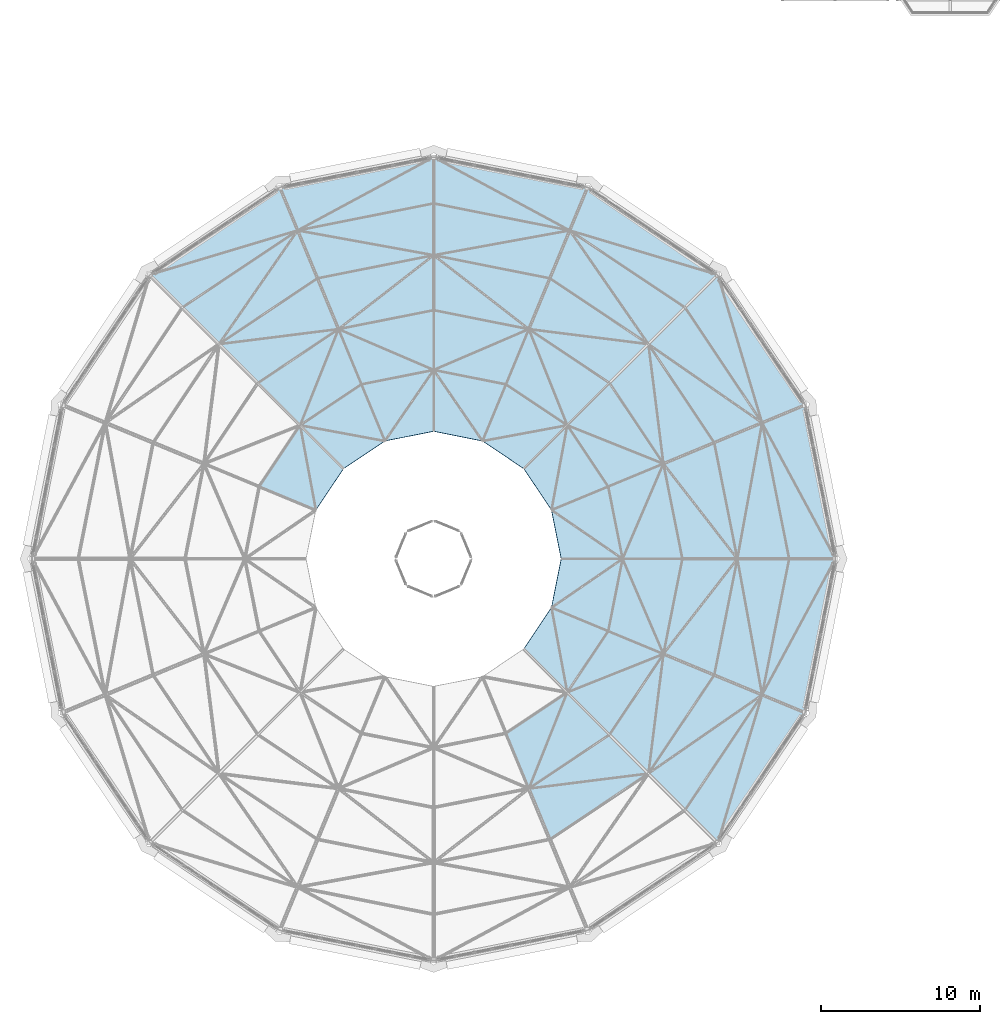
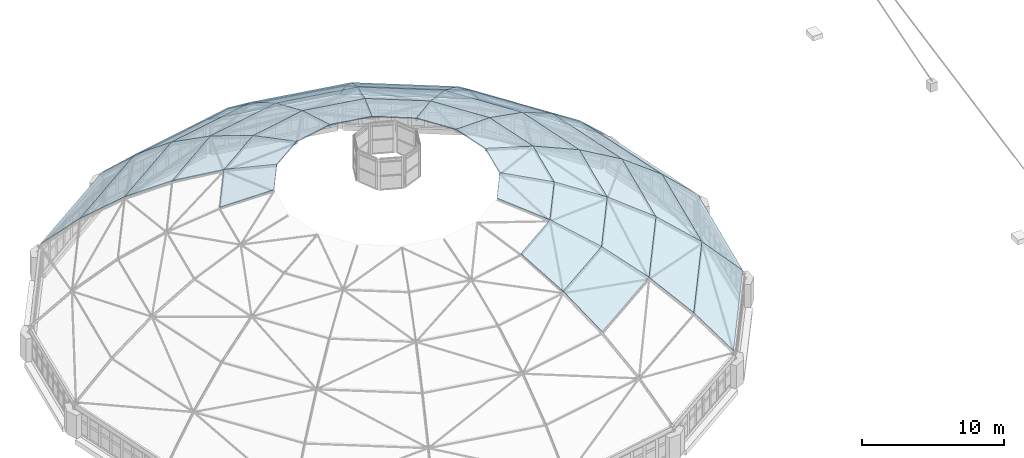
# One storey, part 59 of 68: 43 slabs.
"""IFC4 building model written with IfcOpenShell, lengths in metres."""

from ifc_helpers import new_model, si_unit, direction, frame, origin, place, context, subcontext, project, spatial, faceted_brep, material, layer, layer_set, type_object, element, save


model = new_model("IFC4")

# Units and contexts
model_context = context("Model", 3, precision=1e-05, world=origin(), true_north=direction((0.0, 1.0)))
body_context = subcontext(model_context, "Body", "Model", "MODEL_VIEW")
ifc_project = project(units=[si_unit("LENGTHUNIT", "METRE"), si_unit("AREAUNIT", "SQUARE_METRE"), si_unit("VOLUMEUNIT", "CUBIC_METRE"), si_unit("PLANEANGLEUNIT", "RADIAN"), si_unit("MASSUNIT", "GRAM", prefix="KILO")], contexts=[model_context])

# Site, building, storey
site_placement = place(None, origin())
site = spatial("IfcSite", under=ifc_project, at=site_placement, CompositionType="ELEMENT")
building_placement = place(site_placement, origin())
building = spatial("IfcBuilding", under=site, at=building_placement, Name="Kupolbacken Congress Centre", CompositionType="ELEMENT")
storey_placement = place(building_placement, frame((0.0, 0.0, 25.199951171875)))
storey = spatial("IfcBuildingStorey", under=building, at=storey_placement, Name="L07", CompositionType="ELEMENT", Elevation=25.199951171875)

# Slabs
ifc_material = material(Name="Standing seam zinc roofing on boarding", Category="metal")
ifc_layer = layer(ifc_material, 0.074951171875)
ifc_layer_set = layer_set([ifc_layer], Name="Standing seam zinc roofing on boarding")
slab_type = type_object("IfcSlabType", Name="DS1 dome shell panel 75", PredefinedType="ROOF", material=ifc_layer_set)
slab_1_placement = place(storey_placement, origin())
element("IfcSlab", 1, at=slab_1_placement, inside=storey, type_object=slab_type, Name="DM/PNL001", PredefinedType="ROOF", context=body_context, shape_type="Brep", body=[
    faceted_brep([(68.39990234375, 86.39990234375, 3.037353515625), (66.481689453125, 96.043701171875, 3.037353515625), (63.802490234375, 94.933837890625, 5.774658203125), (65.5, 86.39990234375, 5.774658203125), (65.449951171875, 86.39990234375, 5.7177734375), (63.75634765625, 94.914794921875, 5.7177734375), (66.4326171875, 96.0234375, 2.9833984375), (68.346923828125, 86.39990234375, 2.9833984375)], [[[0, 1, 2, 3]], [[4, 5, 6, 7]], [[0, 7, 6, 1]], [[1, 6, 5, 2]], [[2, 5, 4, 3]], [[3, 4, 7, 0]]]),
])
slab_2_placement = place(storey_placement, origin())
element("IfcSlab", 2, at=slab_2_placement, inside=storey, type_object=slab_type, Name="DM/PNL002", PredefinedType="ROOF", context=body_context, shape_type="Brep", body=[
    faceted_brep([(66.481689453125, 96.043701171875, 3.037353515625), (61.01904296875, 104.218994140625, 3.037353515625), (58.968505859375, 102.16845703125, 5.774658203125), (63.802490234375, 94.933837890625, 5.774658203125), (63.75634765625, 94.914794921875, 5.7177734375), (58.93310546875, 102.133056640625, 5.7177734375), (60.981689453125, 104.181396484375, 2.9833984375), (66.4326171875, 96.0234375, 2.9833984375)], [[[0, 1, 2, 3]], [[4, 5, 6, 7]], [[0, 7, 6, 1]], [[1, 6, 5, 2]], [[2, 5, 4, 3]], [[3, 4, 7, 0]]]),
])
slab_3_placement = place(storey_placement, origin())
element("IfcSlab", 3, at=slab_3_placement, inside=storey, type_object=slab_type, Name="DM/PNL003", PredefinedType="ROOF", context=body_context, shape_type="Brep", body=[
    faceted_brep([(61.01904296875, 104.218994140625, 3.037353515625), (52.843505859375, 109.681884765625, 3.037353515625), (51.73388671875, 107.00244140625, 5.774658203125), (58.968505859375, 102.16845703125, 5.774658203125), (58.93310546875, 102.133056640625, 5.7177734375), (51.71484375, 106.956298828125, 5.7177734375), (52.8232421875, 109.6328125, 2.983154296875), (60.9814453125, 104.181396484375, 2.9833984375)], [[[0, 1, 2, 3]], [[4, 5, 6, 7]], [[0, 7, 6, 1]], [[1, 6, 5, 2]], [[2, 5, 4, 3]], [[3, 4, 7, 0]]]),
])
slab_4_placement = place(storey_placement, origin())
element("IfcSlab", 4, at=slab_4_placement, inside=storey, type_object=slab_type, Name="DM/PNL004", PredefinedType="ROOF", context=body_context, shape_type="Brep", body=[
    faceted_brep([(52.843505859375, 109.681884765625, 3.037353515625), (43.199951171875, 111.60009765625, 3.037353515625), (43.199951171875, 108.699951171875, 5.774658203125), (51.73388671875, 107.00244140625, 5.774658203125), (51.71484375, 106.956298828125, 5.7177734375), (43.199951171875, 108.64990234375, 5.7177734375), (43.199951171875, 111.547119140625, 2.9833984375), (52.8232421875, 109.6328125, 2.9833984375)], [[[0, 1, 2, 3]], [[4, 5, 6, 7]], [[0, 7, 6, 1]], [[1, 6, 5, 2]], [[2, 5, 4, 3]], [[3, 4, 7, 0]]]),
])
slab_5_placement = place(storey_placement, origin())
element("IfcSlab", 5, at=slab_5_placement, inside=storey, type_object=slab_type, Name="DM/PNL005", PredefinedType="ROOF", context=body_context, shape_type="Brep", body=[
    faceted_brep([(43.199951171875, 111.60009765625, 3.037353515625), (33.556396484375, 109.681884765625, 3.037353515625), (34.666259765625, 107.00244140625, 5.774658203125), (43.199951171875, 108.699951171875, 5.774658203125), (43.199951171875, 108.64990234375, 5.7177734375), (34.685302734375, 106.956298828125, 5.7177734375), (33.57666015625, 109.6328125, 2.9833984375), (43.199951171875, 111.547119140625, 2.9833984375)], [[[0, 1, 2, 3]], [[4, 5, 6, 7]], [[0, 7, 6, 1]], [[1, 6, 5, 2]], [[2, 5, 4, 3]], [[3, 4, 7, 0]]]),
])
slab_6_placement = place(storey_placement, origin())
element("IfcSlab", 6, at=slab_6_placement, inside=storey, type_object=slab_type, Name="DM/PNL006", PredefinedType="ROOF", context=body_context, shape_type="Brep", body=[
    faceted_brep([(33.556396484375, 109.681884765625, 3.037353515625), (25.380859375, 104.218994140625, 3.037353515625), (27.431640625, 102.16845703125, 5.774658203125), (34.666259765625, 107.00244140625, 5.774658203125), (34.685302734375, 106.956298828125, 5.7177734375), (27.467041015625, 102.133056640625, 5.7177734375), (25.418212890625, 104.181640625, 2.9833984375), (33.57666015625, 109.6328125, 2.9833984375)], [[[0, 1, 2, 3]], [[4, 5, 6, 7]], [[0, 7, 6, 1]], [[1, 6, 5, 2]], [[2, 5, 4, 3]], [[3, 4, 7, 0]]]),
])
slab_7_placement = place(storey_placement, origin())
element("IfcSlab", 7, at=slab_7_placement, inside=storey, type_object=slab_type, Name="DM/PNL015", PredefinedType="ROOF", context=body_context, shape_type="Brep", body=[
    faceted_brep([(61.01904296875, 68.580810546875, 3.037353515625), (66.481689453125, 76.75634765625, 3.037353515625), (63.802490234375, 77.8662109375, 5.774658203125), (58.968505859375, 70.631591796875, 5.774658203125), (58.93310546875, 70.6669921875, 5.7177734375), (63.75634765625, 77.88525390625, 5.7177734375), (66.4326171875, 76.776611328125, 2.9833984375), (60.9814453125, 68.618408203125, 2.9833984375)], [[[0, 1, 2, 3]], [[4, 5, 6, 7]], [[0, 7, 6, 1]], [[1, 6, 5, 2]], [[2, 5, 4, 3]], [[3, 4, 7, 0]]]),
])
slab_8_placement = place(storey_placement, origin())
element("IfcSlab", 8, at=slab_8_placement, inside=storey, type_object=slab_type, Name="DM/PNL016", PredefinedType="ROOF", context=body_context, shape_type="Brep", body=[
    faceted_brep([(66.481689453125, 76.75634765625, 3.037353515625), (68.39990234375, 86.39990234375, 3.037353515625), (65.5, 86.39990234375, 5.774658203125), (63.802490234375, 77.8662109375, 5.774658203125), (63.75634765625, 77.88525390625, 5.7177734375), (65.449951171875, 86.39990234375, 5.7177734375), (68.346923828125, 86.39990234375, 2.9833984375), (66.4326171875, 76.776611328125, 2.9833984375)], [[[0, 1, 2, 3]], [[4, 5, 6, 7]], [[0, 7, 6, 1]], [[1, 6, 5, 2]], [[2, 5, 4, 3]], [[3, 4, 7, 0]]]),
])
slab_9_placement = place(storey_placement, origin())
element("IfcSlab", 9, at=slab_9_placement, inside=storey, type_object=slab_type, Name="DM/PNL017", PredefinedType="ROOF", context=body_context, shape_type="Brep", body=[
    faceted_brep([(65.5, 86.39990234375, 5.774658203125), (63.802490234375, 94.933837890625, 5.774658203125), (60.7998046875, 93.690185546875, 8.224609375), (62.25, 86.39990234375, 8.224609375), (62.20703125, 86.39990234375, 8.162353515625), (60.76025390625, 93.673828125, 8.162353515625), (63.75634765625, 94.914794921875, 5.7177734375), (65.449951171875, 86.39990234375, 5.7177734375)], [[[0, 1, 2, 3]], [[4, 5, 6, 7]], [[0, 7, 6, 1]], [[1, 6, 5, 2]], [[2, 5, 4, 3]], [[3, 4, 7, 0]]]),
])
slab_10_placement = place(storey_placement, origin())
element("IfcSlab", 10, at=slab_10_placement, inside=storey, type_object=slab_type, Name="DM/PNL018", PredefinedType="ROOF", context=body_context, shape_type="Brep", body=[
    faceted_brep([(63.802490234375, 94.933837890625, 5.774658203125), (58.968505859375, 102.16845703125, 5.774658203125), (56.67041015625, 99.870361328125, 8.224609375), (60.7998046875, 93.690185546875, 8.224609375), (60.76025390625, 93.673828125, 8.162353515625), (56.64013671875, 99.840087890625, 8.162353515625), (58.93310546875, 102.133056640625, 5.7177734375), (63.75634765625, 94.914794921875, 5.7177734375)], [[[0, 1, 2, 3]], [[4, 5, 6, 7]], [[0, 7, 6, 1]], [[1, 6, 5, 2]], [[2, 5, 4, 3]], [[3, 4, 7, 0]]]),
])
slab_11_placement = place(storey_placement, origin())
element("IfcSlab", 11, at=slab_11_placement, inside=storey, type_object=slab_type, Name="DM/PNL019", PredefinedType="ROOF", context=body_context, shape_type="Brep", body=[
    faceted_brep([(58.968505859375, 102.16845703125, 5.774658203125), (51.73388671875, 107.00244140625, 5.774658203125), (50.490234375, 104.0, 8.224609375), (56.67041015625, 99.870361328125, 8.224609375), (56.64013671875, 99.840087890625, 8.162353515625), (50.473876953125, 103.96044921875, 8.162353515625), (51.71484375, 106.956298828125, 5.7177734375), (58.93310546875, 102.133056640625, 5.7177734375)], [[[0, 1, 2, 3]], [[4, 5, 6, 7]], [[0, 7, 6, 1]], [[1, 6, 5, 2]], [[2, 5, 4, 3]], [[3, 4, 7, 0]]]),
])
slab_12_placement = place(storey_placement, origin())
element("IfcSlab", 12, at=slab_12_placement, inside=storey, type_object=slab_type, Name="DM/PNL020", PredefinedType="ROOF", context=body_context, shape_type="Brep", body=[
    faceted_brep([(51.73388671875, 107.00244140625, 5.774658203125), (43.199951171875, 108.699951171875, 5.774658203125), (43.199951171875, 105.449951171875, 8.224609375), (50.490234375, 104.0, 8.224609375), (50.473876953125, 103.960205078125, 8.162353515625), (43.199951171875, 105.406982421875, 8.162353515625), (43.199951171875, 108.64990234375, 5.7177734375), (51.71484375, 106.956298828125, 5.7177734375)], [[[0, 1, 2, 3]], [[4, 5, 6, 7]], [[0, 7, 6, 1]], [[1, 6, 5, 2]], [[2, 5, 4, 3]], [[3, 4, 7, 0]]]),
])
slab_13_placement = place(storey_placement, origin())
element("IfcSlab", 13, at=slab_13_placement, inside=storey, type_object=slab_type, Name="DM/PNL021", PredefinedType="ROOF", context=body_context, shape_type="Brep", body=[
    faceted_brep([(43.199951171875, 108.699951171875, 5.774658203125), (34.666259765625, 107.00244140625, 5.774658203125), (35.909912109375, 104.0, 8.224609375), (43.199951171875, 105.449951171875, 8.224609375), (43.199951171875, 105.406982421875, 8.162353515625), (35.92626953125, 103.96044921875, 8.162353515625), (34.685302734375, 106.956298828125, 5.7177734375), (43.199951171875, 108.64990234375, 5.7177734375)], [[[0, 1, 2, 3]], [[4, 5, 6, 7]], [[0, 7, 6, 1]], [[1, 6, 5, 2]], [[2, 5, 4, 3]], [[3, 4, 7, 0]]]),
])
slab_14_placement = place(storey_placement, origin())
element("IfcSlab", 14, at=slab_14_placement, inside=storey, type_object=slab_type, Name="DM/PNL022", PredefinedType="ROOF", context=body_context, shape_type="Brep", body=[
    faceted_brep([(34.666259765625, 107.00244140625, 5.774658203125), (27.431640625, 102.16845703125, 5.774658203125), (29.729736328125, 99.870361328125, 8.224609375), (35.909912109375, 104.0, 8.224609375), (35.92626953125, 103.960205078125, 8.162353515625), (29.760009765625, 99.840087890625, 8.162353515625), (27.467041015625, 102.133056640625, 5.7177734375), (34.685302734375, 106.956298828125, 5.7177734375)], [[[0, 1, 2, 3]], [[4, 5, 6, 7]], [[0, 7, 6, 1]], [[1, 6, 5, 2]], [[2, 5, 4, 3]], [[3, 4, 7, 0]]]),
])
slab_15_placement = place(storey_placement, origin())
element("IfcSlab", 15, at=slab_15_placement, inside=storey, type_object=slab_type, Name="DM/PNL031", PredefinedType="ROOF", context=body_context, shape_type="Brep", body=[
    faceted_brep([(58.968505859375, 70.631591796875, 5.774658203125), (63.802490234375, 77.8662109375, 5.774658203125), (60.7998046875, 79.10986328125, 8.224609375), (56.67041015625, 72.9296875, 8.224609375), (56.64013671875, 72.9599609375, 8.162353515625), (60.76025390625, 79.126220703125, 8.162353515625), (63.75634765625, 77.88525390625, 5.7177734375), (58.93310546875, 70.6669921875, 5.7177734375)], [[[0, 1, 2, 3]], [[4, 5, 6, 7]], [[0, 7, 6, 1]], [[1, 6, 5, 2]], [[2, 5, 4, 3]], [[3, 4, 7, 0]]]),
])
slab_16_placement = place(storey_placement, origin())
element("IfcSlab", 16, at=slab_16_placement, inside=storey, type_object=slab_type, Name="DM/PNL032", PredefinedType="ROOF", context=body_context, shape_type="Brep", body=[
    faceted_brep([(63.802490234375, 77.8662109375, 5.774658203125), (65.5, 86.39990234375, 5.774658203125), (62.25, 86.39990234375, 8.224609375), (60.7998046875, 79.10986328125, 8.224609375), (60.76025390625, 79.126220703125, 8.162353515625), (62.20703125, 86.39990234375, 8.162353515625), (65.449951171875, 86.39990234375, 5.7177734375), (63.75634765625, 77.88525390625, 5.7177734375)], [[[0, 1, 2, 3]], [[4, 5, 6, 7]], [[0, 7, 6, 1]], [[1, 6, 5, 2]], [[2, 5, 4, 3]], [[3, 4, 7, 0]]]),
])
slab_17_placement = place(storey_placement, origin())
element("IfcSlab", 17, at=slab_17_placement, inside=storey, type_object=slab_type, Name="DM/PNL033", PredefinedType="ROOF", context=body_context, shape_type="Brep", body=[
    faceted_brep([(62.25, 86.39990234375, 8.224609375), (60.7998046875, 93.690185546875, 8.224609375), (57.612548828125, 92.369873046875, 10.224609375), (58.800048828125, 86.39990234375, 10.224609375), (58.76513671875, 86.39990234375, 10.15771484375), (57.580078125, 92.3564453125, 10.15771484375), (60.76025390625, 93.673828125, 8.162353515625), (62.20703125, 86.39990234375, 8.162353515625)], [[[0, 1, 2, 3]], [[4, 5, 6, 7]], [[0, 7, 6, 1]], [[1, 6, 5, 2]], [[2, 5, 4, 3]], [[3, 4, 7, 0]]]),
])
slab_18_placement = place(storey_placement, origin())
element("IfcSlab", 18, at=slab_18_placement, inside=storey, type_object=slab_type, Name="DM/PNL034", PredefinedType="ROOF", context=body_context, shape_type="Brep", body=[
    faceted_brep([(60.7998046875, 93.690185546875, 8.224609375), (56.67041015625, 99.870361328125, 8.224609375), (54.23095703125, 97.430908203125, 10.224609375), (57.612548828125, 92.369873046875, 10.224609375), (57.580078125, 92.3564453125, 10.15771484375), (54.206298828125, 97.40625, 10.15771484375), (56.64013671875, 99.840087890625, 8.162353515625), (60.76025390625, 93.673828125, 8.162353515625)], [[[0, 1, 2, 3]], [[4, 5, 6, 7]], [[0, 7, 6, 1]], [[1, 6, 5, 2]], [[2, 5, 4, 3]], [[3, 4, 7, 0]]]),
])
slab_19_placement = place(storey_placement, origin())
element("IfcSlab", 19, at=slab_19_placement, inside=storey, type_object=slab_type, Name="DM/PNL035", PredefinedType="ROOF", context=body_context, shape_type="Brep", body=[
    faceted_brep([(56.67041015625, 99.870361328125, 8.224609375), (50.490234375, 104.0, 8.224609375), (49.169921875, 100.8125, 10.224609375), (54.23095703125, 97.430908203125, 10.224609375), (54.2060546875, 97.406005859375, 10.15771484375), (49.156494140625, 100.780029296875, 10.15771484375), (50.473876953125, 103.96044921875, 8.162353515625), (56.64013671875, 99.840087890625, 8.162353515625)], [[[0, 1, 2, 3]], [[4, 5, 6, 7]], [[0, 7, 6, 1]], [[1, 6, 5, 2]], [[2, 5, 4, 3]], [[3, 4, 7, 0]]]),
])
slab_20_placement = place(storey_placement, origin())
element("IfcSlab", 20, at=slab_20_placement, inside=storey, type_object=slab_type, Name="DM/PNL036", PredefinedType="ROOF", context=body_context, shape_type="Brep", body=[
    faceted_brep([(50.490234375, 104.0, 8.224609375), (43.199951171875, 105.449951171875, 8.224609375), (43.199951171875, 102.0, 10.224609375), (49.169921875, 100.8125, 10.224609375), (49.156494140625, 100.7802734375, 10.15771484375), (43.199951171875, 101.965087890625, 10.15771484375), (43.199951171875, 105.406982421875, 8.162353515625), (50.473876953125, 103.96044921875, 8.162353515625)], [[[0, 1, 2, 3]], [[4, 5, 6, 7]], [[0, 7, 6, 1]], [[1, 6, 5, 2]], [[2, 5, 4, 3]], [[3, 4, 7, 0]]]),
])
slab_21_placement = place(storey_placement, origin())
element("IfcSlab", 21, at=slab_21_placement, inside=storey, type_object=slab_type, Name="DM/PNL037", PredefinedType="ROOF", context=body_context, shape_type="Brep", body=[
    faceted_brep([(43.199951171875, 105.449951171875, 8.224609375), (35.909912109375, 104.0, 8.224609375), (37.230224609375, 100.8125, 10.224609375), (43.199951171875, 102.0, 10.224609375), (43.199951171875, 101.96484375, 10.15771484375), (37.24365234375, 100.780029296875, 10.15771484375), (35.92626953125, 103.96044921875, 8.162353515625), (43.199951171875, 105.406982421875, 8.162353515625)], [[[0, 1, 2, 3]], [[4, 5, 6, 7]], [[0, 7, 6, 1]], [[1, 6, 5, 2]], [[2, 5, 4, 3]], [[3, 4, 7, 0]]]),
])
slab_22_placement = place(storey_placement, origin())
element("IfcSlab", 22, at=slab_22_placement, inside=storey, type_object=slab_type, Name="DM/PNL038", PredefinedType="ROOF", context=body_context, shape_type="Brep", body=[
    faceted_brep([(35.909912109375, 104.0, 8.224609375), (29.729736328125, 99.870361328125, 8.224609375), (32.169189453125, 97.430908203125, 10.224609375), (37.230224609375, 100.8125, 10.224609375), (37.24365234375, 100.7802734375, 10.157958984375), (32.19384765625, 97.40625, 10.15771484375), (29.760009765625, 99.840087890625, 8.162353515625), (35.92626953125, 103.96044921875, 8.162353515625)], [[[0, 1, 2, 3]], [[4, 5, 6, 7]], [[0, 7, 6, 1]], [[1, 6, 5, 2]], [[2, 5, 4, 3]], [[3, 4, 7, 0]]]),
])
slab_23_placement = place(storey_placement, origin())
element("IfcSlab", 23, at=slab_23_placement, inside=storey, type_object=slab_type, Name="DM/PNL046", PredefinedType="ROOF", context=body_context, shape_type="Brep", body=[
    faceted_brep([(50.490234375, 68.800048828125, 8.224609375), (56.67041015625, 72.9296875, 8.224609375), (54.23095703125, 75.369140625, 10.224609375), (49.169921875, 71.987548828125, 10.224609375), (49.156494140625, 72.019775390625, 10.157958984375), (54.206298828125, 75.393798828125, 10.15771484375), (56.64013671875, 72.9599609375, 8.162353515625), (50.473876953125, 68.839599609375, 8.162353515625)], [[[0, 1, 2, 3]], [[4, 5, 6, 7]], [[0, 7, 6, 1]], [[1, 6, 5, 2]], [[2, 5, 4, 3]], [[3, 4, 7, 0]]]),
])
slab_24_placement = place(storey_placement, origin())
element("IfcSlab", 24, at=slab_24_placement, inside=storey, type_object=slab_type, Name="DM/PNL047", PredefinedType="ROOF", context=body_context, shape_type="Brep", body=[
    faceted_brep([(56.67041015625, 72.9296875, 8.224609375), (60.7998046875, 79.10986328125, 8.224609375), (57.612548828125, 80.43017578125, 10.224609375), (54.23095703125, 75.369140625, 10.224609375), (54.206298828125, 75.393798828125, 10.15771484375), (57.580078125, 80.443603515625, 10.15771484375), (60.76025390625, 79.126220703125, 8.162353515625), (56.64013671875, 72.9599609375, 8.162353515625)], [[[0, 1, 2, 3]], [[4, 5, 6, 7]], [[0, 7, 6, 1]], [[1, 6, 5, 2]], [[2, 5, 4, 3]], [[3, 4, 7, 0]]]),
])
slab_25_placement = place(storey_placement, origin())
element("IfcSlab", 25, at=slab_25_placement, inside=storey, type_object=slab_type, Name="DM/PNL048", PredefinedType="ROOF", context=body_context, shape_type="Brep", body=[
    faceted_brep([(60.7998046875, 79.10986328125, 8.224609375), (62.25, 86.39990234375, 8.224609375), (58.800048828125, 86.39990234375, 10.224609375), (57.612548828125, 80.43017578125, 10.224609375), (57.580078125, 80.443603515625, 10.15771484375), (58.76513671875, 86.39990234375, 10.15771484375), (62.20703125, 86.39990234375, 8.162353515625), (60.76025390625, 79.126220703125, 8.162353515625)], [[[0, 1, 2, 3]], [[4, 5, 6, 7]], [[0, 7, 6, 1]], [[1, 6, 5, 2]], [[2, 5, 4, 3]], [[3, 4, 7, 0]]]),
])
slab_26_placement = place(storey_placement, origin())
element("IfcSlab", 26, at=slab_26_placement, inside=storey, type_object=slab_type, Name="DM/PNL049", PredefinedType="ROOF", context=body_context, shape_type="Brep", body=[
    faceted_brep([(58.800048828125, 86.39990234375, 10.224609375), (57.612548828125, 92.369873046875, 10.224609375), (54.14794921875, 90.934814453125, 11.84912109375), (55.050048828125, 86.39990234375, 11.84912109375), (55.0234375, 86.39990234375, 11.778564453125), (54.123291015625, 90.924560546875, 11.77880859375), (57.580078125, 92.3564453125, 10.15771484375), (58.76513671875, 86.39990234375, 10.15771484375)], [[[0, 1, 2, 3]], [[4, 5, 6, 7]], [[0, 7, 6, 1]], [[1, 6, 5, 2]], [[2, 5, 4, 3]], [[3, 4, 7, 0]]]),
])
slab_27_placement = place(storey_placement, origin())
element("IfcSlab", 27, at=slab_27_placement, inside=storey, type_object=slab_type, Name="DM/PNL050", PredefinedType="ROOF", context=body_context, shape_type="Brep", body=[
    faceted_brep([(57.612548828125, 92.369873046875, 10.224609375), (54.23095703125, 97.430908203125, 10.224609375), (51.5791015625, 94.779296875, 11.84912109375), (54.14794921875, 90.934814453125, 11.84912109375), (54.123291015625, 90.924560546875, 11.778564453125), (51.560302734375, 94.760498046875, 11.77880859375), (54.206298828125, 97.40625, 10.15771484375), (57.580078125, 92.3564453125, 10.15771484375)], [[[0, 1, 2, 3]], [[4, 5, 6, 7]], [[0, 7, 6, 1]], [[1, 6, 5, 2]], [[2, 5, 4, 3]], [[3, 4, 7, 0]]]),
])
slab_28_placement = place(storey_placement, origin())
element("IfcSlab", 28, at=slab_28_placement, inside=storey, type_object=slab_type, Name="DM/PNL051", PredefinedType="ROOF", context=body_context, shape_type="Brep", body=[
    faceted_brep([(54.23095703125, 97.430908203125, 10.224609375), (49.169921875, 100.8125, 10.224609375), (47.73486328125, 97.347900390625, 11.84912109375), (51.5791015625, 94.779296875, 11.84912109375), (51.560302734375, 94.760498046875, 11.77880859375), (47.724609375, 97.3232421875, 11.77880859375), (49.156494140625, 100.780029296875, 10.15771484375), (54.206298828125, 97.40625, 10.15771484375)], [[[0, 1, 2, 3]], [[4, 5, 6, 7]], [[0, 7, 6, 1]], [[1, 6, 5, 2]], [[2, 5, 4, 3]], [[3, 4, 7, 0]]]),
])
slab_29_placement = place(storey_placement, origin())
element("IfcSlab", 29, at=slab_29_placement, inside=storey, type_object=slab_type, Name="DM/PNL052", PredefinedType="ROOF", context=body_context, shape_type="Brep", body=[
    faceted_brep([(49.169921875, 100.8125, 10.224609375), (43.199951171875, 102.0, 10.224609375), (43.199951171875, 98.25, 11.84912109375), (47.73486328125, 97.347900390625, 11.84912109375), (47.724609375, 97.3232421875, 11.77880859375), (43.199951171875, 98.223388671875, 11.77880859375), (43.199951171875, 101.965087890625, 10.15771484375), (49.156494140625, 100.780029296875, 10.15771484375)], [[[0, 1, 2, 3]], [[4, 5, 6, 7]], [[0, 7, 6, 1]], [[1, 6, 5, 2]], [[2, 5, 4, 3]], [[3, 4, 7, 0]]]),
])
slab_30_placement = place(storey_placement, origin())
element("IfcSlab", 30, at=slab_30_placement, inside=storey, type_object=slab_type, Name="DM/PNL053", PredefinedType="ROOF", context=body_context, shape_type="Brep", body=[
    faceted_brep([(43.199951171875, 102.0, 10.224609375), (37.230224609375, 100.8125, 10.224609375), (38.665283203125, 97.347900390625, 11.84912109375), (43.199951171875, 98.25, 11.84912109375), (43.199951171875, 98.223388671875, 11.778564453125), (38.675537109375, 97.3232421875, 11.77880859375), (37.24365234375, 100.780029296875, 10.15771484375), (43.199951171875, 101.965087890625, 10.15771484375)], [[[0, 1, 2, 3]], [[4, 5, 6, 7]], [[0, 7, 6, 1]], [[1, 6, 5, 2]], [[2, 5, 4, 3]], [[3, 4, 7, 0]]]),
])
slab_31_placement = place(storey_placement, origin())
element("IfcSlab", 31, at=slab_31_placement, inside=storey, type_object=slab_type, Name="DM/PNL054", PredefinedType="ROOF", context=body_context, shape_type="Brep", body=[
    faceted_brep([(37.230224609375, 100.8125, 10.224609375), (32.169189453125, 97.430908203125, 10.224609375), (34.82080078125, 94.779296875, 11.84912109375), (38.665283203125, 97.347900390625, 11.84912109375), (38.675537109375, 97.3232421875, 11.77880859375), (34.839599609375, 94.760498046875, 11.77880859375), (32.19384765625, 97.40625, 10.15771484375), (37.24365234375, 100.780029296875, 10.15771484375)], [[[0, 1, 2, 3]], [[4, 5, 6, 7]], [[0, 7, 6, 1]], [[1, 6, 5, 2]], [[2, 5, 4, 3]], [[3, 4, 7, 0]]]),
])
slab_32_placement = place(storey_placement, origin())
element("IfcSlab", 32, at=slab_32_placement, inside=storey, type_object=slab_type, Name="DM/PNL062", PredefinedType="ROOF", context=body_context, shape_type="Brep", body=[
    faceted_brep([(49.169921875, 71.987548828125, 10.224609375), (54.23095703125, 75.369140625, 10.224609375), (51.5791015625, 78.020751953125, 11.84912109375), (47.73486328125, 75.4521484375, 11.84912109375), (47.724609375, 75.476806640625, 11.778564453125), (51.560302734375, 78.03955078125, 11.77880859375), (54.206298828125, 75.393798828125, 10.15771484375), (49.156494140625, 72.02001953125, 10.15771484375)], [[[0, 1, 2, 3]], [[4, 5, 6, 7]], [[0, 7, 6, 1]], [[1, 6, 5, 2]], [[2, 5, 4, 3]], [[3, 4, 7, 0]]]),
])
slab_33_placement = place(storey_placement, origin())
element("IfcSlab", 33, at=slab_33_placement, inside=storey, type_object=slab_type, Name="DM/PNL063", PredefinedType="ROOF", context=body_context, shape_type="Brep", body=[
    faceted_brep([(54.23095703125, 75.369140625, 10.224609375), (57.612548828125, 80.43017578125, 10.224609375), (54.14794921875, 81.865234375, 11.84912109375), (51.5791015625, 78.020751953125, 11.84912109375), (51.560302734375, 78.03955078125, 11.77880859375), (54.123291015625, 81.87548828125, 11.77880859375), (57.580078125, 80.443603515625, 10.15771484375), (54.206298828125, 75.393798828125, 10.15771484375)], [[[0, 1, 2, 3]], [[4, 5, 6, 7]], [[0, 7, 6, 1]], [[1, 6, 5, 2]], [[2, 5, 4, 3]], [[3, 4, 7, 0]]]),
])
slab_34_placement = place(storey_placement, origin())
element("IfcSlab", 34, at=slab_34_placement, inside=storey, type_object=slab_type, Name="DM/PNL064", PredefinedType="ROOF", context=body_context, shape_type="Brep", body=[
    faceted_brep([(57.612548828125, 80.43017578125, 10.224609375), (58.800048828125, 86.39990234375, 10.224609375), (55.050048828125, 86.39990234375, 11.84912109375), (54.14794921875, 81.865234375, 11.84912109375), (54.123291015625, 81.87548828125, 11.77880859375), (55.0234375, 86.39990234375, 11.77880859375), (58.76513671875, 86.39990234375, 10.15771484375), (57.580078125, 80.443603515625, 10.15771484375)], [[[0, 1, 2, 3]], [[4, 5, 6, 7]], [[0, 7, 6, 1]], [[1, 6, 5, 2]], [[2, 5, 4, 3]], [[3, 4, 7, 0]]]),
])
slab_35_placement = place(storey_placement, origin())
element("IfcSlab", 35, at=slab_35_placement, inside=storey, type_object=slab_type, Name="DM/PNL065", PredefinedType="ROOF", context=body_context, shape_type="Brep", body=[
    faceted_brep([(55.050048828125, 86.39990234375, 11.84912109375), (54.14794921875, 90.934814453125, 11.84912109375), (50.591064453125, 89.46142578125, 12.999267578125), (51.199951171875, 86.39990234375, 12.999267578125), (51.181884765625, 86.39990234375, 12.92626953125), (50.574462890625, 89.45458984375, 12.92626953125), (54.123291015625, 90.924560546875, 11.77880859375), (55.0234375, 86.39990234375, 11.77880859375)], [[[0, 1, 2, 3]], [[4, 5, 6, 7]], [[0, 7, 6, 1]], [[1, 6, 5, 2]], [[2, 5, 4, 3]], [[3, 4, 7, 0]]]),
])
slab_36_placement = place(storey_placement, origin())
element("IfcSlab", 36, at=slab_36_placement, inside=storey, type_object=slab_type, Name="DM/PNL066", PredefinedType="ROOF", context=body_context, shape_type="Brep", body=[
    faceted_brep([(54.14794921875, 90.934814453125, 11.84912109375), (51.5791015625, 94.779296875, 11.84912109375), (48.85693359375, 92.056884765625, 12.999267578125), (50.591064453125, 89.46142578125, 12.999267578125), (50.574462890625, 89.45458984375, 12.92626953125), (48.84423828125, 92.044189453125, 12.92626953125), (51.560302734375, 94.760498046875, 11.77880859375), (54.123291015625, 90.924560546875, 11.77880859375)], [[[0, 1, 2, 3]], [[4, 5, 6, 7]], [[0, 7, 6, 1]], [[1, 6, 5, 2]], [[2, 5, 4, 3]], [[3, 4, 7, 0]]]),
])
slab_37_placement = place(storey_placement, origin())
element("IfcSlab", 37, at=slab_37_placement, inside=storey, type_object=slab_type, Name="DM/PNL067", PredefinedType="ROOF", context=body_context, shape_type="Brep", body=[
    faceted_brep([(51.5791015625, 94.779296875, 11.84912109375), (47.73486328125, 97.347900390625, 11.84912109375), (46.261474609375, 93.791015625, 12.999267578125), (48.85693359375, 92.056884765625, 12.999267578125), (48.84423828125, 92.044189453125, 12.92626953125), (46.254638671875, 93.7744140625, 12.92626953125), (47.724609375, 97.3232421875, 11.778564453125), (51.560302734375, 94.760498046875, 11.77880859375)], [[[0, 1, 2, 3]], [[4, 5, 6, 7]], [[0, 7, 6, 1]], [[1, 6, 5, 2]], [[2, 5, 4, 3]], [[3, 4, 7, 0]]]),
])
slab_38_placement = place(storey_placement, origin())
element("IfcSlab", 38, at=slab_38_placement, inside=storey, type_object=slab_type, Name="DM/PNL068", PredefinedType="ROOF", context=body_context, shape_type="Brep", body=[
    faceted_brep([(47.73486328125, 97.347900390625, 11.84912109375), (43.199951171875, 98.25, 11.84912109375), (43.199951171875, 94.39990234375, 12.999267578125), (46.261474609375, 93.791015625, 12.999267578125), (46.254638671875, 93.7744140625, 12.92626953125), (43.199951171875, 94.3818359375, 12.92626953125), (43.199951171875, 98.223388671875, 11.778564453125), (47.724609375, 97.3232421875, 11.77880859375)], [[[0, 1, 2, 3]], [[4, 5, 6, 7]], [[0, 7, 6, 1]], [[1, 6, 5, 2]], [[2, 5, 4, 3]], [[3, 4, 7, 0]]]),
])
slab_39_placement = place(storey_placement, origin())
element("IfcSlab", 39, at=slab_39_placement, inside=storey, type_object=slab_type, Name="DM/PNL069", PredefinedType="ROOF", context=body_context, shape_type="Brep", body=[
    faceted_brep([(43.199951171875, 98.25, 11.84912109375), (38.665283203125, 97.347900390625, 11.84912109375), (40.138427734375, 93.791015625, 12.999267578125), (43.199951171875, 94.39990234375, 12.999267578125), (43.199951171875, 94.3818359375, 12.92626953125), (40.145263671875, 93.7744140625, 12.92626953125), (38.675537109375, 97.3232421875, 11.77880859375), (43.199951171875, 98.223388671875, 11.77880859375)], [[[0, 1, 2, 3]], [[4, 5, 6, 7]], [[0, 7, 6, 1]], [[1, 6, 5, 2]], [[2, 5, 4, 3]], [[3, 4, 7, 0]]]),
])
slab_40_placement = place(storey_placement, origin())
element("IfcSlab", 40, at=slab_40_placement, inside=storey, type_object=slab_type, Name="DM/PNL070", PredefinedType="ROOF", context=body_context, shape_type="Brep", body=[
    faceted_brep([(38.665283203125, 97.347900390625, 11.84912109375), (34.82080078125, 94.779296875, 11.84912109375), (37.543212890625, 92.056884765625, 12.999267578125), (40.138427734375, 93.791015625, 12.999267578125), (40.145263671875, 93.7744140625, 12.92626953125), (37.555908203125, 92.044189453125, 12.92626953125), (34.839599609375, 94.760498046875, 11.778564453125), (38.675537109375, 97.3232421875, 11.77880859375)], [[[0, 1, 2, 3]], [[4, 5, 6, 7]], [[0, 7, 6, 1]], [[1, 6, 5, 2]], [[2, 5, 4, 3]], [[3, 4, 7, 0]]]),
])
slab_41_placement = place(storey_placement, origin())
element("IfcSlab", 41, at=slab_41_placement, inside=storey, type_object=slab_type, Name="DM/PNL071", PredefinedType="ROOF", context=body_context, shape_type="Brep", body=[
    faceted_brep([(34.82080078125, 94.779296875, 11.84912109375), (32.251953125, 90.934814453125, 11.84912109375), (35.80908203125, 89.46142578125, 12.999267578125), (37.543212890625, 92.056884765625, 12.999267578125), (37.555908203125, 92.044189453125, 12.92626953125), (35.82568359375, 89.45458984375, 12.92626953125), (32.276611328125, 90.924560546875, 11.778564453125), (34.839599609375, 94.760498046875, 11.77880859375)], [[[0, 1, 2, 3]], [[4, 5, 6, 7]], [[0, 7, 6, 1]], [[1, 6, 5, 2]], [[2, 5, 4, 3]], [[3, 4, 7, 0]]]),
])
slab_42_placement = place(storey_placement, origin())
element("IfcSlab", 42, at=slab_42_placement, inside=storey, type_object=slab_type, Name="DM/PNL079", PredefinedType="ROOF", context=body_context, shape_type="Brep", body=[
    faceted_brep([(51.5791015625, 78.020751953125, 11.84912109375), (54.14794921875, 81.865234375, 11.84912109375), (50.591064453125, 83.338623046875, 12.999267578125), (48.85693359375, 80.7431640625, 12.999267578125), (48.84423828125, 80.755859375, 12.92626953125), (50.574462890625, 83.345458984375, 12.92626953125), (54.123291015625, 81.87548828125, 11.778564453125), (51.560302734375, 78.03955078125, 11.77880859375)], [[[0, 1, 2, 3]], [[4, 5, 6, 7]], [[0, 7, 6, 1]], [[1, 6, 5, 2]], [[2, 5, 4, 3]], [[3, 4, 7, 0]]]),
])
slab_43_placement = place(storey_placement, origin())
element("IfcSlab", 43, at=slab_43_placement, inside=storey, type_object=slab_type, Name="DM/PNL080", PredefinedType="ROOF", context=body_context, shape_type="Brep", body=[
    faceted_brep([(54.14794921875, 81.865234375, 11.84912109375), (55.050048828125, 86.39990234375, 11.84912109375), (51.199951171875, 86.39990234375, 12.999267578125), (50.591064453125, 83.338623046875, 12.999267578125), (50.574462890625, 83.345458984375, 12.92626953125), (51.181884765625, 86.39990234375, 12.92626953125), (55.0234375, 86.39990234375, 11.778564453125), (54.123291015625, 81.87548828125, 11.77880859375)], [[[0, 1, 2, 3]], [[4, 5, 6, 7]], [[0, 7, 6, 1]], [[1, 6, 5, 2]], [[2, 5, 4, 3]], [[3, 4, 7, 0]]]),
])

save(model, "model.ifc")
